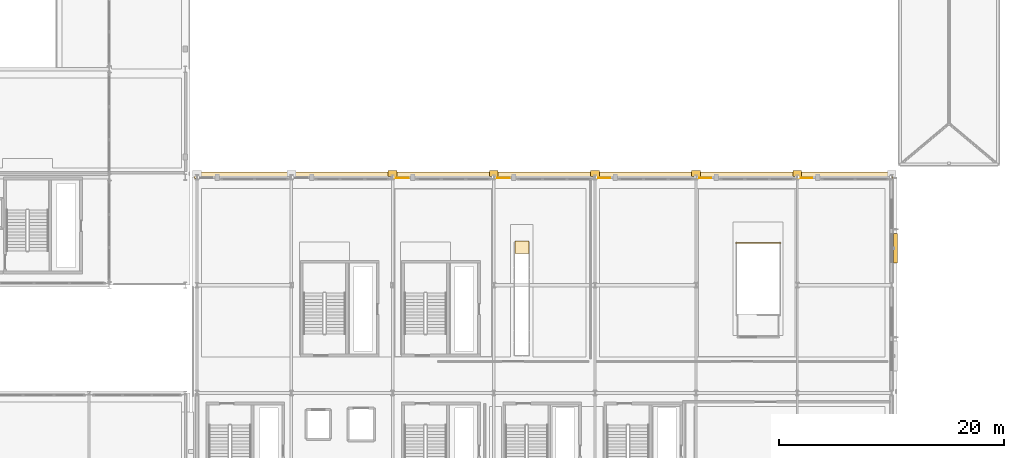
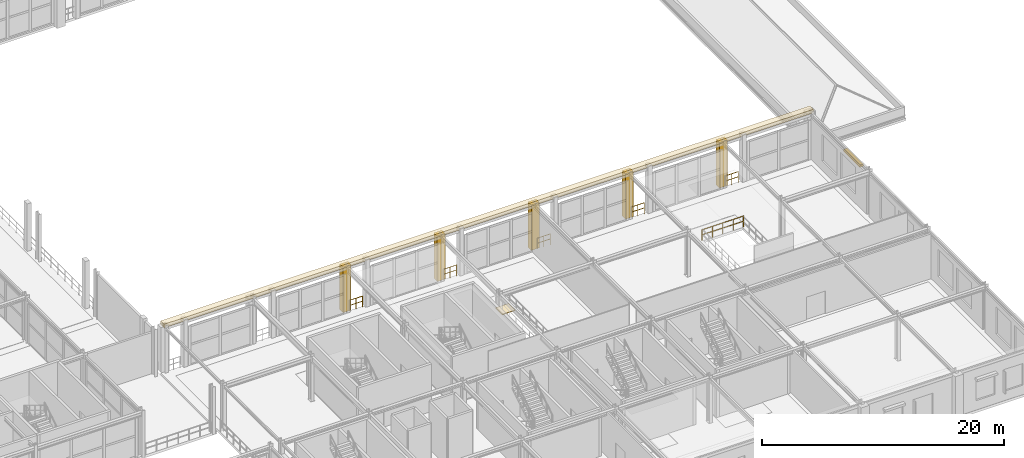
# One storey, part 116 of 125: 7 coverings, 6 railings, 1 shading device.
"""IFC4 building model written with IfcOpenShell, lengths in metres."""

from ifc_helpers import new_model, si_unit, direction, frame, origin, origin_2d, place, context, subcontext, project, spatial, polyline, rectangle, outline, extrude, material, layer, layer_set, type_object, element, save


model = new_model("IFC4")

# Units and contexts
model_context = context("Model", 3, precision=1e-05, world=origin(), true_north=direction((0.0, 1.0)))
body_context = subcontext(model_context, "Body", "Model", "MODEL_VIEW")
ifc_project = project(units=[si_unit("LENGTHUNIT", "METRE"), si_unit("AREAUNIT", "SQUARE_METRE"), si_unit("VOLUMEUNIT", "CUBIC_METRE"), si_unit("PLANEANGLEUNIT", "RADIAN"), si_unit("MASSUNIT", "GRAM", prefix="KILO")], contexts=[model_context])

# Site, building, storey
site_placement = place(None, origin())
site = spatial("IfcSite", under=ifc_project, at=site_placement, CompositionType="ELEMENT")
building_placement = place(site_placement, origin())
building = spatial("IfcBuilding", under=site, at=building_placement, Name="Myrtia Square Station", CompositionType="ELEMENT")
storey_placement = place(building_placement, frame((0.0, 0.0, 6.0)))
storey = spatial("IfcBuildingStorey", under=building, at=storey_placement, Name="L01", CompositionType="ELEMENT", Elevation=6.0)

# Coverings
ifc_material_1 = material(Name="Pentelic marble ashlar", Category="masonry")
ifc_layer_1 = layer(ifc_material_1, 0.4599609375, Name="Pentelic marble ashlar")
ifc_layer_set_1 = layer_set([ifc_layer_1], Name="Pentelic marble ashlar")
covering_type_1 = type_object("IfcCoveringType", Name="COV-ARCH-ASHLAR", PredefinedType="CLADDING", material=ifc_layer_set_1)
for number, where, z_axis, x_axis, name in (
    (1, (135.0, 38.719970703125, -0.0400390625), (0.0, 0.0, 1.0), (1.0, 0.0, 0.0), "Classical Pentelic ashlar pilaster 018"),
    (2, (144.0, 38.719970703125, -0.0400390625), (0.0, 0.0, 1.0), (1.0, 0.0, 0.0), "Classical Pentelic ashlar pilaster 026"),
    (3, (153.0, 38.719970703125, -0.0400390625), (0.0, 0.0, 1.0), (1.0, 0.0, 0.0), "Classical Pentelic ashlar pilaster 034"),
    (4, (162.0, 38.719970703125, -0.0400390625), (0.0, 0.0, 1.0), (1.0, 0.0, 0.0), "Classical Pentelic ashlar pilaster 040"),
    (5, (171.0, 38.719970703125, -0.0400390625), (0.0, 0.0, 1.0), (1.0, 0.0, 0.0), "Classical Pentelic ashlar pilaster 046"),
):
    element("IfcCovering", number, at=place(storey_placement, frame(where, z_axis=z_axis, x_axis=x_axis)), inside=storey, type_object=covering_type_1, Name=name, PredefinedType="CLADDING", context=body_context, shape_type="SweptSolid", body=[
        extrude(rectangle(XDim=0.780029296875, YDim=0.56005859375, at=origin_2d()), origin(), (0.0, 0.0, 1.0), 4.590087890625),
    ])
ifc_layer_2 = layer(ifc_material_1, 0.47998046875, Name="Pentelic marble ashlar")
ifc_layer_set_2 = layer_set([ifc_layer_2], Name="Pentelic marble ashlar")
covering_type_2 = type_object("IfcCoveringType", Name="COV-CORNICE-ASHLAR", PredefinedType="MOLDING", material=ifc_layer_set_2)
covering_1_placement = place(storey_placement, frame((148.449951171875, 38.570068359375, 4.56005859375), z_axis=(0.0, 0.0, 1.0), x_axis=(1.0, 0.0, 0.0)))
element("IfcCovering", 6, at=covering_1_placement, inside=storey, type_object=covering_type_2, Name="Classical entablature cornice moulding 003", PredefinedType="MOLDING", context=body_context, shape_type="SweptSolid", body=[
    extrude(rectangle(XDim=62.10009765625, YDim=0.580078125, at=origin_2d()), origin(), (0.0, 0.0, 1.0), 0.360107421875),
])
ifc_material_2 = material(Name="Terrazzo stone tile", Category="masonry")
ifc_layer_3 = layer(ifc_material_2, 0.02490234375, Name="Terrazzo stone tile")
ifc_layer_set_3 = layer_set([ifc_layer_3], Name="Terrazzo stone tile")
covering_type_3 = type_object("IfcCoveringType", Name="COV-FLR-TERRAZZO", PredefinedType="FLOORING", material=ifc_layer_set_3)
covering_2_placement = place(storey_placement, frame((0.0, 0.0, -0.080078125)))
element("IfcCovering", 7, at=covering_2_placement, inside=storey, type_object=covering_type_3, Name="Escalator ESC-08 upper comb landing", PredefinedType="FLOORING", context=body_context, shape_type="SweptSolid", body=[
    extrude(outline(polyline([(145.8798828125, 31.610107421875), (147.1201171875, 31.610107421875), (147.1201171875, 32.7099609375), (145.8798828125, 32.7099609375), (145.8798828125, 31.610107421875)])), origin(), (0.0, 0.0, 1.0), 0.080078125),
])

# Railings
ifc_material_3 = material(Name="Wrought iron", Category="steel")
railing_type = type_object("IfcRailingType", Name="RL-INT-GUARD-1100", PredefinedType="BALUSTRADE", material=ifc_material_3)
railing_placement = place(storey_placement, frame((169.5, 32.550048828125, 0.0)))
element("IfcRailing", 8, at=railing_placement, inside=storey, type_object=railing_type, Name="L01 ST71 top well guard 4", PredefinedType="BALUSTRADE", context=body_context, shape_type="SweptSolid", body=[
    extrude(rectangle(XDim=0.048095703125, YDim=0.048095703125, at=origin_2d()), frame((-0.03466796875, 0.0, 1.09619140625), z_axis=(-1.0, 0.0, 0.0), x_axis=(0.0, -1.0, 0.0)), (0.0, 0.0, 1.0), 0.920654296875),
    extrude(rectangle(XDim=0.048095703125, YDim=0.048095703125, at=origin_2d()), frame((-0.03466796875, 0.0, 0.58251953125), z_axis=(-1.0, 0.0, 0.0), x_axis=(0.0, -1.0, 0.0)), (0.0, 0.0, 1.0), 0.920654296875),
    extrude(rectangle(XDim=0.048095703125, YDim=0.048095703125, at=origin_2d()), frame((-1.024658203125, 0.0, 1.09619140625), z_axis=(-1.0, 0.0, 0.0), x_axis=(0.0, -1.0, 0.0)), (0.0, 0.0, 1.0), 0.920654296875),
    extrude(rectangle(XDim=0.048095703125, YDim=0.048095703125, at=origin_2d()), frame((-1.024658203125, 0.0, 0.58251953125), z_axis=(-1.0, 0.0, 0.0), x_axis=(0.0, -1.0, 0.0)), (0.0, 0.0, 1.0), 0.920654296875),
    extrude(rectangle(XDim=0.048095703125, YDim=0.048095703125, at=origin_2d()), frame((-2.0146484375, 0.0, 1.09619140625), z_axis=(-1.0, 0.0, 0.0), x_axis=(0.0, -1.0, 0.0)), (0.0, 0.0, 1.0), 0.920654296875),
    extrude(rectangle(XDim=0.048095703125, YDim=0.048095703125, at=origin_2d()), frame((-2.0146484375, 0.0, 0.58251953125), z_axis=(-1.0, 0.0, 0.0), x_axis=(0.0, -1.0, 0.0)), (0.0, 0.0, 1.0), 0.920654296875),
    extrude(rectangle(XDim=0.048095703125, YDim=0.048095703125, at=origin_2d()), frame((-3.004638671875, 0.0, 1.09619140625), z_axis=(-1.0, 0.0, 0.0), x_axis=(0.0, -1.0, 0.0)), (0.0, 0.0, 1.0), 0.920654296875),
    extrude(rectangle(XDim=0.048095703125, YDim=0.048095703125, at=origin_2d()), frame((-3.004638671875, 0.0, 0.58251953125), z_axis=(-1.0, 0.0, 0.0), x_axis=(0.0, -1.0, 0.0)), (0.0, 0.0, 1.0), 0.920654296875),
    extrude(rectangle(XDim=0.0439453125, YDim=0.0439453125, at=origin_2d()), origin(), (0.0, 0.0, 1.0), 1.1201171875),
    extrude(rectangle(XDim=0.0439453125, YDim=0.0439453125, at=origin_2d()), frame((-0.989990234375, 0.0, 0.0)), (0.0, 0.0, 1.0), 1.1201171875),
    extrude(rectangle(XDim=0.0439453125, YDim=0.0439453125, at=origin_2d()), frame((-1.97998046875, 0.0, 0.0)), (0.0, 0.0, 1.0), 1.1201171875),
    extrude(rectangle(XDim=0.0439453125, YDim=0.0439453125, at=origin_2d()), frame((-2.969970703125, 0.0, 0.0)), (0.0, 0.0, 1.0), 1.1201171875),
    extrude(rectangle(XDim=0.0439453125, YDim=0.0439453125, at=origin_2d()), frame((-3.9599609375, 0.0, 0.0)), (0.0, 0.0, 1.0), 1.1201171875),
])
for number, where, name in (
    (9, (172.318115234375, 38.320068359375, 0.0), "Perimeter slab edge balustrade L01-020"),
    (10, (163.339111328125, 38.320068359375, 0.0), "Perimeter slab edge balustrade L01-021"),
    (11, (154.361083984375, 38.320068359375, 0.0), "Perimeter slab edge balustrade L01-022"),
    (12, (145.382080078125, 38.320068359375, 0.0), "Perimeter slab edge balustrade L01-023"),
    (13, (136.404052734375, 38.320068359375, 0.0), "Perimeter slab edge balustrade L01-024"),
):
    element("IfcRailing", number, at=place(storey_placement, frame(where)), inside=storey, type_object=railing_type, Name=name, PredefinedType="BALUSTRADE", context=body_context, shape_type="SweptSolid", body=[
        extrude(rectangle(XDim=0.048095703125, YDim=0.048095703125, at=origin_2d()), frame((-0.03466796875, 0.0, 1.09619140625), z_axis=(-1.0, 0.0, 0.0), x_axis=(0.0, -1.0, 0.0)), (0.0, 0.0, 1.0), 0.55419921875),
        extrude(rectangle(XDim=0.048095703125, YDim=0.048095703125, at=origin_2d()), frame((-0.03466796875, 0.0, 0.58251953125), z_axis=(-1.0, 0.0, 0.0), x_axis=(0.0, -1.0, 0.0)), (0.0, 0.0, 1.0), 0.55419921875),
        extrude(rectangle(XDim=0.048095703125, YDim=0.048095703125, at=origin_2d()), frame((-0.658203125, 0.0, 1.09619140625), z_axis=(-1.0, 0.0, 0.0), x_axis=(0.0, -1.0, 0.0)), (0.0, 0.0, 1.0), 0.55419921875),
        extrude(rectangle(XDim=0.048095703125, YDim=0.048095703125, at=origin_2d()), frame((-0.658203125, 0.0, 0.58251953125), z_axis=(-1.0, 0.0, 0.0), x_axis=(0.0, -1.0, 0.0)), (0.0, 0.0, 1.0), 0.55419921875),
        extrude(rectangle(XDim=0.0439453125, YDim=0.0439453125, at=origin_2d()), origin(), (0.0, 0.0, 1.0), 1.1201171875),
        extrude(rectangle(XDim=0.0439453125, YDim=0.0439453125, at=origin_2d()), frame((-0.62353515625, 0.0, 0.0)), (0.0, 0.0, 1.0), 1.1201171875),
        extrude(rectangle(XDim=0.0439453125, YDim=0.0439453125, at=origin_2d()), frame((-1.2470703125, 0.0, 0.0)), (0.0, 0.0, 1.0), 1.1201171875),
    ])

# Shading device
ifc_material_4 = material(Name="Dark bronze anodised aluminium", Category="aluminium")
shading_device_type = type_object("IfcShadingDeviceType", Name="SHD-JALOUSIE-BRONZE", PredefinedType="JALOUSIE", material=ifc_material_4)
shading_device_placement = place(storey_placement, frame((179.75, 32.076904296875, 3.58984375), z_axis=(0.0, 0.0, 1.0), x_axis=(0.0, 1.0, 0.0)))
element("IfcShadingDevice", 14, at=shading_device_placement, inside=storey, type_object=shading_device_type, Name="Mediterranean bronze solar louvre SHL-030", PredefinedType="JALOUSIE", context=body_context, shape_type="SweptSolid", body=[
    extrude(rectangle(XDim=2.659912109375, YDim=0.35009765625, at=origin_2d()), origin(), (0.0, 0.0, 1.0), 0.219970703125),
])

save(model, "model.ifc")
